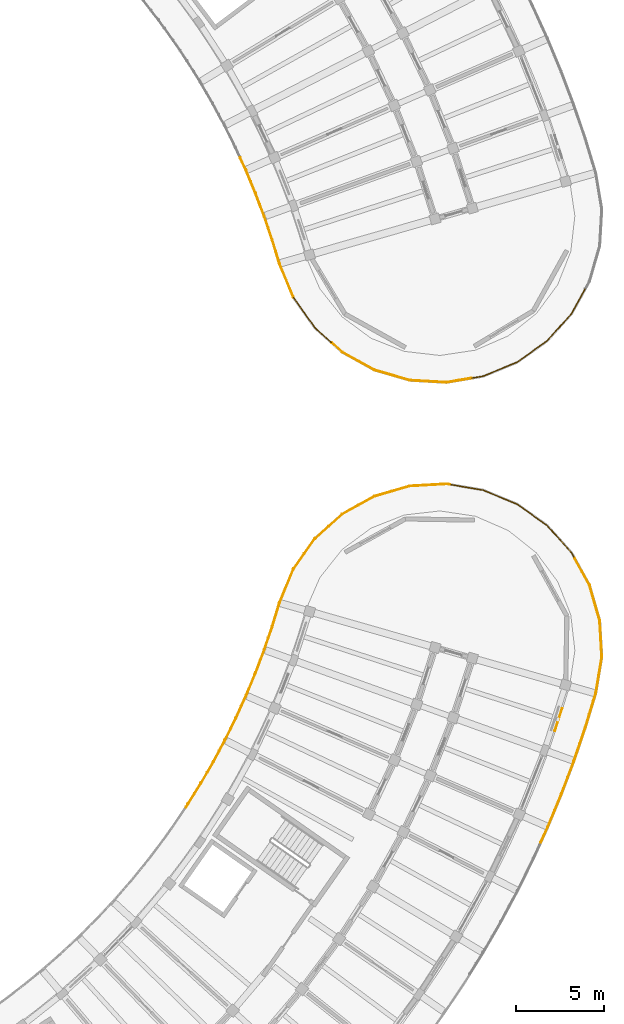
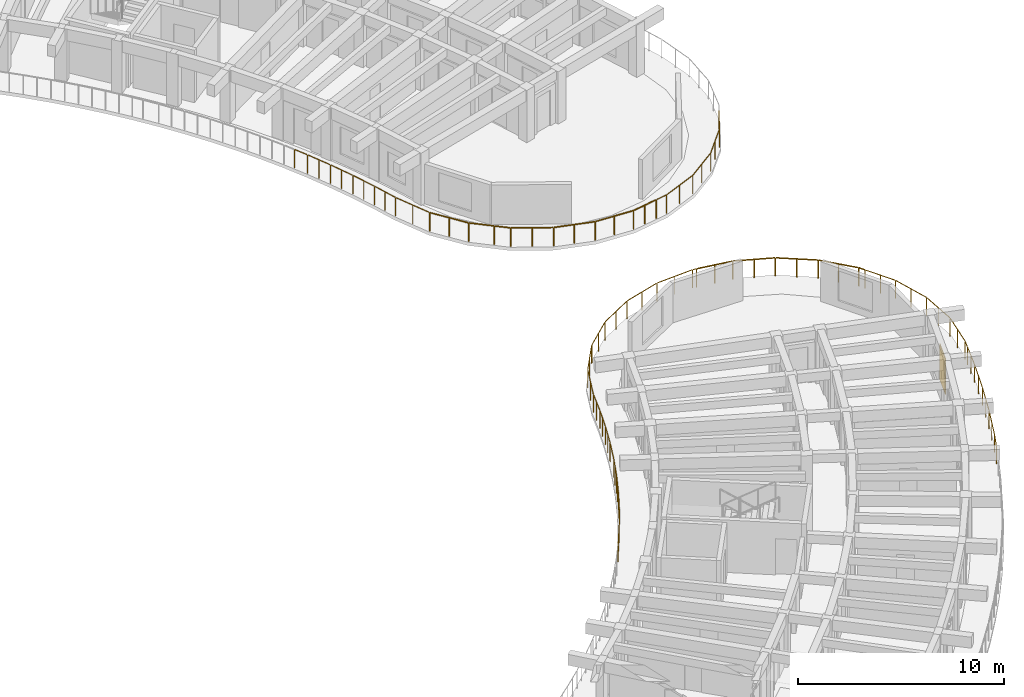
# One storey, part 91 of 96: 10 railings, 1 shading device.
"""IFC4 building model written with IfcOpenShell, lengths in metres."""

from ifc_helpers import new_model, si_unit, direction, frame, origin, origin_2d, place, context, subcontext, project, spatial, rectangle, circle, extrude, material, layer, layer_set, type_object, element, save


model = new_model("IFC4")

# Units and contexts
model_context = context("Model", 3, precision=1e-05, world=origin(), true_north=direction((0.0, 1.0)))
body_context = subcontext(model_context, "Body", "Model", "MODEL_VIEW")
ifc_project = project(units=[si_unit("LENGTHUNIT", "METRE"), si_unit("AREAUNIT", "SQUARE_METRE"), si_unit("VOLUMEUNIT", "CUBIC_METRE"), si_unit("PLANEANGLEUNIT", "RADIAN"), si_unit("MASSUNIT", "GRAM", prefix="KILO")], contexts=[model_context])

# Site, building, storey
site_placement = place(None, origin())
site = spatial("IfcSite", under=ifc_project, at=site_placement, CompositionType="ELEMENT")
building_placement = place(site_placement, origin())
building = spatial("IfcBuilding", under=site, at=building_placement, Name="Tanwirah Colonnade Gardens", CompositionType="ELEMENT")
storey_placement = place(building_placement, frame((0.0, 0.0, 12.199951171875)))
storey = spatial("IfcBuildingStorey", under=building, at=storey_placement, Name="L03", CompositionType="ELEMENT", Elevation=12.199951171875)

# Railings
ifc_material_1 = material(Name="Precast concrete C40/50", Category="concrete")
railing_type_1 = type_object("IfcRailingType", Name="BAL-EXT110", PredefinedType="BALUSTRADE", material=ifc_material_1)
railing_1_placement = place(storey_placement, frame((156.728515625, 41.15869140625, 0.0)))
element("IfcRailing", 1, at=railing_1_placement, inside=storey, type_object=railing_type_1, Name="Block D L03 Balcony Ribbon Balustrade 5", PredefinedType="BALUSTRADE", context=body_context, shape_type="SweptSolid", body=[
    extrude(circle(Radius=0.02392578125, at=origin_2d()), frame((0.017333984375, 0.02587890625, 1.076171875), z_axis=(0.556591623042, 0.83078623313, 0.0), x_axis=(-0.83078623313, 0.556591623042, 0.0)), (0.0, 0.0, 1.0), 0.145751953125),
    extrude(circle(Radius=0.02392578125, at=origin_2d()), frame((0.1337890625, 0.201904296875, 1.076171875), z_axis=(0.529022666758, 0.848607693847, 0.0), x_axis=(-0.848607693847, 0.529022666758, 0.0)), (0.0, 0.0, 1.0), 1.33154296875),
    extrude(circle(Radius=0.02392578125, at=origin_2d()), frame((0.87158203125, 1.3876953125, 1.076171875), z_axis=(0.501015561301, 0.865438274711, 0.0), x_axis=(-0.865438274711, 0.501015561301, 0.0)), (0.0, 0.0, 1.0), 1.33154296875),
    extrude(circle(Radius=0.02392578125, at=origin_2d()), frame((1.5703125, 2.596923828125, 1.076171875), z_axis=(0.472323466806, 0.881425290484, 0.0), x_axis=(-0.881425290484, 0.472323466806, 0.0)), (0.0, 0.0, 1.0), 1.33154296875),
    extrude(circle(Radius=0.02392578125, at=origin_2d()), frame((2.229248046875, 3.82861328125, 1.076171875), z_axis=(0.443286097627, 0.896380184771, 0.0), x_axis=(-0.896380184771, 0.443286097627, 0.0)), (0.0, 0.0, 1.0), 1.33154296875),
    extrude(circle(Radius=0.02392578125, at=origin_2d()), frame((2.847412109375, 5.0810546875, 1.076171875), z_axis=(0.413697373423, 0.91041445684, 0.0), x_axis=(-0.91041445684, 0.413697373423, 0.0)), (0.0, 0.0, 1.0), 1.331298828125),
    extrude(circle(Radius=0.02392578125, at=origin_2d()), frame((3.424072265625, 6.352783203125, 1.076171875), z_axis=(0.383672564884, 0.923469199787, 0.0), x_axis=(-0.923469199787, 0.383672564884, 0.0)), (0.0, 0.0, 1.0), 1.2431640625),
    extrude(circle(Radius=0.02099609375, at=origin_2d()), origin(), (0.0, 0.0, 1.0), 1.049072265625),
    extrude(circle(Radius=0.02099609375, at=origin_2d()), frame((0.115966796875, 0.173095703125, 0.0)), (0.0, 0.0, 1.0), 1.049072265625),
    extrude(circle(Radius=0.02099609375, at=origin_2d()), frame((0.48583984375, 0.766845703125, 0.0)), (0.0, 0.0, 1.0), 1.049072265625),
    extrude(circle(Radius=0.02099609375, at=origin_2d()), frame((0.854736328125, 1.3583984375, 0.0)), (0.0, 0.0, 1.0), 1.049072265625),
    extrude(circle(Radius=0.02099609375, at=origin_2d()), frame((1.205078125, 1.9638671875, 0.0)), (0.0, 0.0, 1.0), 1.049072265625),
    extrude(circle(Radius=0.02099609375, at=origin_2d()), frame((1.554443359375, 2.567138671875, 0.0)), (0.0, 0.0, 1.0), 1.049072265625),
    extrude(circle(Radius=0.02099609375, at=origin_2d()), frame((1.884765625, 3.18359375, 0.0)), (0.0, 0.0, 1.0), 1.049072265625),
    extrude(circle(Radius=0.02099609375, at=origin_2d()), frame((2.214111328125, 3.798095703125, 0.0)), (0.0, 0.0, 1.0), 1.049072265625),
    extrude(circle(Radius=0.02099609375, at=origin_2d()), frame((2.5244140625, 4.42529296875, 0.0)), (0.0, 0.0, 1.0), 1.049072265625),
    extrude(circle(Radius=0.02099609375, at=origin_2d()), frame((2.833251953125, 5.050048828125, 0.0)), (0.0, 0.0, 1.0), 1.049072265625),
    extrude(circle(Radius=0.02099609375, at=origin_2d()), frame((3.122802734375, 5.68701171875, 0.0)), (0.0, 0.0, 1.0), 1.049072265625),
    extrude(circle(Radius=0.02099609375, at=origin_2d()), frame((3.4111328125, 6.321533203125, 0.0)), (0.0, 0.0, 1.0), 1.049072265625),
    extrude(circle(Radius=0.02099609375, at=origin_2d()), frame((3.9130859375, 7.52978515625, 0.0)), (0.0, 0.0, 1.0), 1.049072265625),
])
railing_2_placement = place(storey_placement, frame((160.6416015625, 48.6884765625, 0.0)))
element("IfcRailing", 2, at=railing_2_placement, inside=storey, type_object=railing_type_1, Name="Block D L03 Balcony Ribbon Balustrade 6", PredefinedType="BALUSTRADE", context=body_context, shape_type="SweptSolid", body=[
    extrude(circle(Radius=0.02392578125, at=origin_2d()), frame((0.011962890625, 0.02880859375, 1.076171875), z_axis=(0.384222801745, 0.923240401315, 0.0), x_axis=(-0.923240401315, 0.384222801745, 0.0)), (0.0, 0.0, 1.0), 0.02587890625),
    extrude(circle(Radius=0.02392578125, at=origin_2d()), frame((0.0458984375, 0.11328125, 1.076171875), z_axis=(0.353291566317, 0.935513265095, 0.0), x_axis=(-0.935513265095, 0.353291566317, 0.0)), (0.0, 0.0, 1.0), 1.331298828125),
    extrude(circle(Radius=0.02392578125, at=origin_2d()), frame((0.538330078125, 1.419921875, 1.076171875), z_axis=(0.322420738552, 0.946596464895, 0.0), x_axis=(-0.946596464895, 0.322420738552, 0.0)), (0.0, 0.0, 1.0), 1.33154296875),
    extrude(circle(Radius=0.02392578125, at=origin_2d()), frame((0.987548828125, 2.7421875, 1.076171875), z_axis=(0.291308344694, 0.956629211509, 0.0), x_axis=(-0.956629211509, 0.291308344694, 0.0)), (0.0, 0.0, 1.0), 1.327880859375),
    extrude(circle(Radius=0.02392578125, at=origin_2d()), frame((1.3955078125, 4.0712890625, 1.076171875), z_axis=(0.381489237895, 0.92437328032, 0.0), x_axis=(-0.92437328032, 0.381489237895, 0.0)), (0.0, 0.0, 1.0), 2.029541015625),
    extrude(circle(Radius=0.02392578125, at=origin_2d()), frame((2.19970703125, 6.001953125, 1.076171875), z_axis=(0.577702435947, 0.81624744747, 0.0), x_axis=(-0.81624744747, 0.577702435947, 0.0)), (0.0, 0.0, 1.0), 2.0244140625),
    extrude(circle(Radius=0.02099609375, at=origin_2d()), origin(), (0.0, 0.0, 1.0), 1.049072265625),
    extrude(circle(Radius=0.02099609375, at=origin_2d()), frame((0.033935546875, 0.08154296875, 0.0)), (0.0, 0.0, 1.0), 1.049072265625),
    extrude(circle(Radius=0.02099609375, at=origin_2d()), frame((0.28125, 0.73583984375, 0.0)), (0.0, 0.0, 1.0), 1.049072265625),
    extrude(circle(Radius=0.02099609375, at=origin_2d()), frame((0.52734375, 1.387939453125, 0.0)), (0.0, 0.0, 1.0), 1.049072265625),
    extrude(circle(Radius=0.02099609375, at=origin_2d()), frame((0.7529296875, 2.05029296875, 0.0)), (0.0, 0.0, 1.0), 1.049072265625),
    extrude(circle(Radius=0.02099609375, at=origin_2d()), frame((0.977783203125, 2.7099609375, 0.0)), (0.0, 0.0, 1.0), 1.049072265625),
    extrude(circle(Radius=0.02099609375, at=origin_2d()), frame((1.18115234375, 3.37744140625, 0.0)), (0.0, 0.0, 1.0), 1.049072265625),
    extrude(circle(Radius=0.02099609375, at=origin_2d()), frame((1.383544921875, 4.04248046875, 0.0)), (0.0, 0.0, 1.0), 1.049072265625),
    extrude(circle(Radius=0.02099609375, at=origin_2d()), frame((1.78271484375, 5.00927734375, 0.0)), (0.0, 0.0, 1.0), 1.049072265625),
    extrude(circle(Radius=0.02099609375, at=origin_2d()), frame((2.181640625, 5.976318359375, 0.0)), (0.0, 0.0, 1.0), 1.049072265625),
    extrude(circle(Radius=0.02099609375, at=origin_2d()), frame((2.784423828125, 6.828125, 0.0)), (0.0, 0.0, 1.0), 1.049072265625),
    extrude(circle(Radius=0.02099609375, at=origin_2d()), frame((3.38720703125, 7.6796875, 0.0)), (0.0, 0.0, 1.0), 1.049072265625),
])
railing_3_placement = place(storey_placement, frame((164.063720703125, 56.3994140625, 0.0)))
element("IfcRailing", 3, at=railing_3_placement, inside=storey, type_object=railing_type_1, Name="Block D L03 Balcony Ribbon Balustrade 7", PredefinedType="BALUSTRADE", context=body_context, shape_type="SweptSolid", body=[
    extrude(circle(Radius=0.02392578125, at=origin_2d()), frame((0.023193359375, 0.020751953125, 1.076171875), z_axis=(0.744815510739, 0.667270451138, 0.0), x_axis=(-0.667270451138, 0.744815510739, 0.0)), (0.0, 0.0, 1.0), 1.9775390625),
    extrude(circle(Radius=0.02392578125, at=origin_2d()), frame((1.546875, 1.37646484375, 1.076171875), z_axis=(0.874620424882, 0.484808325403, 0.0), x_axis=(-0.484808325403, 0.874620424882, 0.0)), (0.0, 0.0, 1.0), 2.0244140625),
    extrude(circle(Radius=0.02392578125, at=origin_2d()), frame((3.374755859375, 2.3818359375, 1.076171875), z_axis=(0.960560153031, 0.278072279108, 0.0), x_axis=(-0.278072279108, 0.960560153031, 0.0)), (0.0, 0.0, 1.0), 2.0244140625),
    extrude(circle(Radius=0.02392578125, at=origin_2d()), frame((5.380615234375, 2.955078125, 1.076171875), z_axis=(0.998355686266, 0.057322977065, 0.0), x_axis=(-0.057322977065, 0.998355686266, 0.0)), (0.0, 0.0, 1.0), 2.0244140625),
    extrude(circle(Radius=0.02392578125, at=origin_2d()), frame((7.463623046875, 3.06787109375, 1.076171875), z_axis=(0.985993298705, -0.166784936099, 0.0), x_axis=(0.166784936099, 0.985993298705, 0.0)), (0.0, 0.0, 1.0), 0.136474609375),
    extrude(circle(Radius=0.02099609375, at=origin_2d()), origin(), (0.0, 0.0, 1.0), 1.049072265625),
    extrude(circle(Radius=0.02099609375, at=origin_2d()), frame((0.759765625, 0.6806640625, 0.0)), (0.0, 0.0, 1.0), 1.049072265625),
    extrude(circle(Radius=0.02099609375, at=origin_2d()), frame((1.51953125, 1.361328125, 0.0)), (0.0, 0.0, 1.0), 1.049072265625),
    extrude(circle(Radius=0.02099609375, at=origin_2d()), frame((2.43212890625, 1.8671875, 0.0)), (0.0, 0.0, 1.0), 1.049072265625),
    extrude(circle(Radius=0.02099609375, at=origin_2d()), frame((3.3447265625, 2.373046875, 0.0)), (0.0, 0.0, 1.0), 1.049072265625),
    extrude(circle(Radius=0.02099609375, at=origin_2d()), frame((4.34716796875, 2.6630859375, 0.0)), (0.0, 0.0, 1.0), 1.049072265625),
    extrude(circle(Radius=0.02099609375, at=origin_2d()), frame((5.349365234375, 2.953369140625, 0.0)), (0.0, 0.0, 1.0), 1.049072265625),
    extrude(circle(Radius=0.02099609375, at=origin_2d()), frame((6.39111328125, 3.01318359375, 0.0)), (0.0, 0.0, 1.0), 1.049072265625),
    extrude(circle(Radius=0.02099609375, at=origin_2d()), frame((7.432861328125, 3.072998046875, 0.0)), (0.0, 0.0, 1.0), 1.049072265625),
    extrude(circle(Radius=0.02099609375, at=origin_2d()), frame((7.629150390625, 3.039794921875, 0.0)), (0.0, 0.0, 1.0), 1.049072265625),
])
railing_4_placement = place(storey_placement, frame((171.69287109375, 59.439208984375, 0.0)))
element("IfcRailing", 4, at=railing_4_placement, inside=storey, type_object=railing_type_1, Name="Block D L03 Balcony Ribbon Balustrade 8", PredefinedType="BALUSTRADE", context=body_context, shape_type="SweptSolid", body=[
    extrude(circle(Radius=0.02392578125, at=origin_2d()), frame((0.03076171875, -0.005126953125, 1.076171875), z_axis=(0.986074017586, -0.166307040868, 0.0), x_axis=(0.166307040868, 0.986074017586, 0.0)), (0.0, 0.0, 1.0), 1.825439453125),
    extrude(circle(Radius=0.02392578125, at=origin_2d()), frame((1.890380859375, -0.325927734375, 1.076171875), z_axis=(0.924362800533, -0.381514630115, 0.0), x_axis=(0.381514630115, 0.924362800533, 0.0)), (0.0, 0.0, 1.0), 2.024169921875),
    extrude(circle(Radius=0.02392578125, at=origin_2d()), frame((3.816162109375, -1.128173828125, 1.076171875), z_axis=(0.816286486525, -0.577647272924, 0.0), x_axis=(0.577647272924, 0.816286486525, 0.0)), (0.0, 0.0, 1.0), 2.0244140625),
    extrude(circle(Radius=0.02392578125, at=origin_2d()), frame((5.514892578125, -2.3388671875, 1.076171875), z_axis=(0.667321336148, -0.744769920393, 0.0), x_axis=(0.744769920393, 0.667321336148, 0.0)), (0.0, 0.0, 1.0), 2.0244140625),
    extrude(circle(Radius=0.02392578125, at=origin_2d()), frame((6.90185546875, -3.897216796875, 1.076171875), z_axis=(0.484581560684, -0.874746083755, 0.0), x_axis=(0.874746083755, 0.484581560684, 0.0)), (0.0, 0.0, 1.0), 0.2890625),
    extrude(circle(Radius=0.02099609375, at=origin_2d()), origin(), (0.0, 0.0, 1.0), 1.049072265625),
    extrude(circle(Radius=0.02099609375, at=origin_2d()), frame((0.9306640625, -0.156982421875, 0.0)), (0.0, 0.0, 1.0), 1.049072265625),
    extrude(circle(Radius=0.02099609375, at=origin_2d()), frame((1.861572265625, -0.31396484375, 0.0)), (0.0, 0.0, 1.0), 1.049072265625),
    extrude(circle(Radius=0.02099609375, at=origin_2d()), frame((2.826171875, -0.7119140625, 0.0)), (0.0, 0.0, 1.0), 1.049072265625),
    extrude(circle(Radius=0.02099609375, at=origin_2d()), frame((3.79052734375, -1.110107421875, 0.0)), (0.0, 0.0, 1.0), 1.049072265625),
    extrude(circle(Radius=0.02099609375, at=origin_2d()), frame((4.642333984375, -1.712890625, 0.0)), (0.0, 0.0, 1.0), 1.049072265625),
    extrude(circle(Radius=0.02099609375, at=origin_2d()), frame((5.494140625, -2.315673828125, 0.0)), (0.0, 0.0, 1.0), 1.049072265625),
    extrude(circle(Radius=0.02099609375, at=origin_2d()), frame((6.1904296875, -3.0927734375, 0.0)), (0.0, 0.0, 1.0), 1.049072265625),
    extrude(circle(Radius=0.02099609375, at=origin_2d()), frame((6.88671875, -3.869873046875, 0.0)), (0.0, 0.0, 1.0), 1.049072265625),
    extrude(circle(Radius=0.02099609375, at=origin_2d()), frame((7.05712890625, -4.177490234375, 0.0)), (0.0, 0.0, 1.0), 1.049072265625),
])
railing_5_placement = place(storey_placement, frame((178.75, 55.26171875, 0.0)))
element("IfcRailing", 5, at=railing_5_placement, inside=storey, type_object=railing_type_1, Name="Block D L03 Balcony Ribbon Balustrade 9", PredefinedType="BALUSTRADE", context=body_context, shape_type="SweptSolid", body=[
    extrude(circle(Radius=0.02392578125, at=origin_2d()), frame((0.01513671875, -0.02734375, 1.076171875), z_axis=(0.484794621278, -0.874628021035, 0.0), x_axis=(0.874628021035, 0.484794621278, 0.0)), (0.0, 0.0, 1.0), 1.6728515625),
    extrude(circle(Radius=0.02392578125, at=origin_2d()), frame((0.85009765625, -1.5478515625, 1.076171875), z_axis=(0.277995575468, -0.960582354627, 0.0), x_axis=(0.960582354627, 0.277995575468, 0.0)), (0.0, 0.0, 1.0), 2.024169921875),
    extrude(circle(Radius=0.02392578125, at=origin_2d()), frame((1.423095703125, -3.553466796875, 1.076171875), z_axis=(0.057322977065, -0.998355686266, 0.0), x_axis=(0.998355686266, 0.057322977065, 0.0)), (0.0, 0.0, 1.0), 2.0244140625),
    extrude(circle(Radius=0.02392578125, at=origin_2d()), frame((1.535888671875, -5.636474609375, 1.076171875), z_axis=(-0.166273240714, -0.98607971758, 0.0), x_axis=(0.98607971758, -0.166273240714, 0.0)), (0.0, 0.0, 1.0), 2.0283203125),
    extrude(circle(Radius=0.02392578125, at=origin_2d()), frame((1.184326171875, -7.697509765625, 1.076171875), z_axis=(-0.290928518409, -0.956744792082, 0.0), x_axis=(0.956744792082, -0.290928518409, 0.0)), (0.0, 0.0, 1.0), 0.437744140625),
    extrude(circle(Radius=0.02099609375, at=origin_2d()), origin(), (0.0, 0.0, 1.0), 1.049072265625),
    extrude(circle(Radius=0.02099609375, at=origin_2d()), frame((0.420654296875, -0.7587890625, 0.0)), (0.0, 0.0, 1.0), 1.049072265625),
    extrude(circle(Radius=0.02099609375, at=origin_2d()), frame((0.84130859375, -1.517822265625, 0.0)), (0.0, 0.0, 1.0), 1.049072265625),
    extrude(circle(Radius=0.02099609375, at=origin_2d()), frame((1.13134765625, -2.52001953125, 0.0)), (0.0, 0.0, 1.0), 1.049072265625),
    extrude(circle(Radius=0.02099609375, at=origin_2d()), frame((1.42138671875, -3.522216796875, 0.0)), (0.0, 0.0, 1.0), 1.049072265625),
    extrude(circle(Radius=0.02099609375, at=origin_2d()), frame((1.481201171875, -4.56396484375, 0.0)), (0.0, 0.0, 1.0), 1.049072265625),
    extrude(circle(Radius=0.02099609375, at=origin_2d()), frame((1.541015625, -5.605712890625, 0.0)), (0.0, 0.0, 1.0), 1.049072265625),
    extrude(circle(Radius=0.02099609375, at=origin_2d()), frame((1.3671875, -6.63671875, 0.0)), (0.0, 0.0, 1.0), 1.049072265625),
    extrude(circle(Radius=0.02099609375, at=origin_2d()), frame((1.193359375, -7.66748046875, 0.0)), (0.0, 0.0, 1.0), 1.049072265625),
    extrude(circle(Radius=0.02099609375, at=origin_2d()), frame((1.0478515625, -8.14599609375, 0.0)), (0.0, 0.0, 1.0), 1.049072265625),
])
railing_6_placement = place(storey_placement, frame((179.7978515625, 47.11572265625, 0.0)))
element("IfcRailing", 6, at=railing_6_placement, inside=storey, type_object=railing_type_1, Name="Block D L03 Balcony Ribbon Balustrade 10", PredefinedType="BALUSTRADE", context=body_context, shape_type="SweptSolid", body=[
    extrude(circle(Radius=0.02392578125, at=origin_2d()), frame((-0.009033203125, -0.02978515625, 1.076171875), z_axis=(-0.291504284688, -0.956569522831, 0.0), x_axis=(0.956569522831, -0.291504284688, 0.0)), (0.0, 0.0, 1.0), 1.43994140625),
    extrude(circle(Radius=0.02392578125, at=origin_2d()), frame((-0.447998046875, -1.466796875, 1.076171875), z_axis=(-0.322426184604, -0.946594609895, 0.0), x_axis=(0.946594609895, -0.322426184604, 0.0)), (0.0, 0.0, 1.0), 1.944091796875),
    extrude(circle(Radius=0.02392578125, at=origin_2d()), frame((-1.095947265625, -3.365966796875, 1.076171875), z_axis=(-0.353175799738, -0.935556975539, 0.0), x_axis=(0.935556975539, -0.353175799738, 0.0)), (0.0, 0.0, 1.0), 1.9443359375),
    extrude(circle(Radius=0.02392578125, at=origin_2d()), frame((-1.8056640625, -5.242919921875, 1.076171875), z_axis=(-0.383777149523, -0.923425741196, 0.0), x_axis=(0.923425741196, -0.383777149523, 0.0)), (0.0, 0.0, 1.0), 1.94384765625),
    extrude(circle(Radius=0.02392578125, at=origin_2d()), frame((-2.57666015625, -7.095458984375, 1.076171875), z_axis=(-0.413746505337, -0.910392129426, 0.0), x_axis=(0.910392129426, -0.413746505337, 0.0)), (0.0, 0.0, 1.0), 0.915283203125),
    extrude(circle(Radius=0.02099609375, at=origin_2d()), origin(), (0.0, 0.0, 1.0), 1.049072265625),
    extrude(circle(Radius=0.02099609375, at=origin_2d()), frame((-0.218994140625, -0.71875, 0.0)), (0.0, 0.0, 1.0), 1.049072265625),
    extrude(circle(Radius=0.02099609375, at=origin_2d()), frame((-0.43798828125, -1.437255859375, 0.0)), (0.0, 0.0, 1.0), 1.049072265625),
    extrude(circle(Radius=0.02099609375, at=origin_2d()), frame((-0.761474609375, -2.386962890625, 0.0)), (0.0, 0.0, 1.0), 1.049072265625),
    extrude(circle(Radius=0.02099609375, at=origin_2d()), frame((-1.0849609375, -3.336669921875, 0.0)), (0.0, 0.0, 1.0), 1.049072265625),
    extrude(circle(Radius=0.02099609375, at=origin_2d()), frame((-1.439453125, -4.275390625, 0.0)), (0.0, 0.0, 1.0), 1.049072265625),
    extrude(circle(Radius=0.02099609375, at=origin_2d()), frame((-1.793701171875, -5.214111328125, 0.0)), (0.0, 0.0, 1.0), 1.049072265625),
    extrude(circle(Radius=0.02099609375, at=origin_2d()), frame((-2.1787109375, -6.140625, 0.0)), (0.0, 0.0, 1.0), 1.049072265625),
    extrude(circle(Radius=0.02099609375, at=origin_2d()), frame((-2.563720703125, -7.06689453125, 0.0)), (0.0, 0.0, 1.0), 1.049072265625),
    extrude(circle(Radius=0.02099609375, at=origin_2d()), frame((-2.96826171875, -7.95703125, 0.0)), (0.0, 0.0, 1.0), 1.049072265625),
])
railing_type_2 = type_object("IfcRailingType", Name="BAL-EXT112", PredefinedType="BALUSTRADE", material=ifc_material_1)
railing_7_placement = place(storey_placement, frame((162.8232421875, 70.035400390625, 0.0)))
element("IfcRailing", 7, at=railing_7_placement, inside=storey, type_object=railing_type_2, Name="Block B L03 Balcony Ribbon Balustrade 1", PredefinedType="BALUSTRADE", context=body_context, shape_type="SweptSolid", body=[
    extrude(circle(Radius=0.02392578125, at=origin_2d()), frame((-0.011962890625, 0.02880859375, 1.09619140625), z_axis=(-0.381489237895, 0.92437328032, 0.0), x_axis=(-0.92437328032, -0.381489237895, 0.0)), (0.0, 0.0, 1.0), 2.029541015625),
    extrude(circle(Radius=0.02392578125, at=origin_2d()), frame((-0.80712890625, 1.963623046875, 1.09619140625), z_axis=(-0.29148764702, 0.956574592823, 0.0), x_axis=(-0.956574592823, -0.29148764702, 0.0)), (0.0, 0.0, 1.0), 1.337890625),
    extrude(circle(Radius=0.02392578125, at=origin_2d()), frame((-1.217041015625, 3.305419921875, 1.09619140625), z_axis=(-0.322790719453, 0.946470364795, 0.0), x_axis=(-0.946470364795, -0.322790719453, 0.0)), (0.0, 0.0, 1.0), 1.342041015625),
    extrude(circle(Radius=0.02392578125, at=origin_2d()), frame((-1.67236328125, 4.636962890625, 1.09619140625), z_axis=(-0.353789339155, 0.935325132508, 0.0), x_axis=(-0.935325132508, -0.353789339155, 0.0)), (0.0, 0.0, 1.0), 1.341796875),
    extrude(circle(Radius=0.02392578125, at=origin_2d()), frame((-2.171142578125, 5.952392578125, 1.09619140625), z_axis=(-0.384541319971, 0.923107779858, 0.0), x_axis=(-0.923107779858, -0.384541319971, 0.0)), (0.0, 0.0, 1.0), 1.341796875),
    extrude(circle(Radius=0.02392578125, at=origin_2d()), frame((-2.713134765625, 7.2509765625, 1.09619140625), z_axis=(-0.414647740507, 0.909982006027, 0.0), x_axis=(-0.909982006027, -0.414647740507, 0.0)), (0.0, 0.0, 1.0), 0.72119140625),
    extrude(circle(Radius=0.02099609375, at=origin_2d()), origin(), (0.0, 0.0, 1.0), 1.069091796875),
    extrude(circle(Radius=0.02099609375, at=origin_2d()), frame((-0.39892578125, 0.966796875, 0.0)), (0.0, 0.0, 1.0), 1.069091796875),
    extrude(circle(Radius=0.02099609375, at=origin_2d()), frame((-0.798095703125, 1.933837890625, 0.0)), (0.0, 0.0, 1.0), 1.069091796875),
    extrude(circle(Radius=0.02099609375, at=origin_2d()), frame((-1.002197265625, 2.603515625, 0.0)), (0.0, 0.0, 1.0), 1.069091796875),
    extrude(circle(Radius=0.02099609375, at=origin_2d()), frame((-1.206298828125, 3.2734375, 0.0)), (0.0, 0.0, 1.0), 1.069091796875),
    extrude(circle(Radius=0.02099609375, at=origin_2d()), frame((-1.43359375, 3.9404296875, 0.0)), (0.0, 0.0, 1.0), 1.069091796875),
    extrude(circle(Radius=0.02099609375, at=origin_2d()), frame((-1.660400390625, 4.605224609375, 0.0)), (0.0, 0.0, 1.0), 1.069091796875),
    extrude(circle(Radius=0.02099609375, at=origin_2d()), frame((-1.90966796875, 5.264404296875, 0.0)), (0.0, 0.0, 1.0), 1.069091796875),
    extrude(circle(Radius=0.02099609375, at=origin_2d()), frame((-2.158203125, 5.921142578125, 0.0)), (0.0, 0.0, 1.0), 1.069091796875),
    extrude(circle(Radius=0.02099609375, at=origin_2d()), frame((-2.42919921875, 6.57177734375, 0.0)), (0.0, 0.0, 1.0), 1.069091796875),
    extrude(circle(Radius=0.02099609375, at=origin_2d()), frame((-2.69921875, 7.219970703125, 0.0)), (0.0, 0.0, 1.0), 1.069091796875),
    extrude(circle(Radius=0.02099609375, at=origin_2d()), frame((-3.025146484375, 7.935546875, 0.0)), (0.0, 0.0, 1.0), 1.069091796875),
])
railing_8_placement = place(storey_placement, frame((179.34326171875, 70.508544921875, 0.0)))
element("IfcRailing", 8, at=railing_8_placement, inside=storey, type_object=railing_type_2, Name="Block B L03 Balcony Ribbon Balustrade 20", PredefinedType="BALUSTRADE", context=body_context, shape_type="SweptSolid", body=[
    extrude(circle(Radius=0.02392578125, at=origin_2d()), frame((-0.01513671875, -0.02734375, 1.09619140625), z_axis=(-0.484813654045, -0.874617471156, 0.0), x_axis=(0.874617471156, -0.484813654045, 0.0)), (0.0, 0.0, 1.0), 1.5126953125),
    extrude(circle(Radius=0.02392578125, at=origin_2d()), frame((-0.784423828125, -1.40087890625, 1.09619140625), z_axis=(-0.667263194146, -0.744822012119, 0.0), x_axis=(0.744822012119, -0.667263194146, 0.0)), (0.0, 0.0, 1.0), 2.0244140625),
    extrude(circle(Radius=0.02392578125, at=origin_2d()), frame((-2.181884765625, -2.9501953125, 1.09619140625), z_axis=(-0.816286486525, -0.577647272924, 0.0), x_axis=(0.577647272924, -0.816286486525, 0.0)), (0.0, 0.0, 1.0), 2.0244140625),
    extrude(circle(Radius=0.02392578125, at=origin_2d()), frame((-3.888671875, -4.149658203125, 1.09619140625), z_axis=(-0.924362800533, -0.381514630115, 0.0), x_axis=(0.381514630115, -0.924362800533, 0.0)), (0.0, 0.0, 1.0), 2.024169921875),
    extrude(circle(Radius=0.02392578125, at=origin_2d()), frame((-5.819580078125, -4.93896484375, 1.09619140625), z_axis=(-0.9860941903, -0.166187387776, 0.0), x_axis=(0.166187387776, -0.9860941903, 0.0)), (0.0, 0.0, 1.0), 0.6015625),
    extrude(circle(Radius=0.02099609375, at=origin_2d()), origin(), (0.0, 0.0, 1.0), 1.069091796875),
    extrude(circle(Radius=0.02099609375, at=origin_2d()), frame((-0.3818359375, -0.68896484375, 0.0)), (0.0, 0.0, 1.0), 1.069091796875),
    extrude(circle(Radius=0.02099609375, at=origin_2d()), frame((-0.763671875, -1.377685546875, 0.0)), (0.0, 0.0, 1.0), 1.069091796875),
    extrude(circle(Radius=0.02099609375, at=origin_2d()), frame((-1.4599609375, -2.15478515625, 0.0)), (0.0, 0.0, 1.0), 1.069091796875),
    extrude(circle(Radius=0.02099609375, at=origin_2d()), frame((-2.15625, -2.93212890625, 0.0)), (0.0, 0.0, 1.0), 1.069091796875),
    extrude(circle(Radius=0.02099609375, at=origin_2d()), frame((-3.008056640625, -3.534912109375, 0.0)), (0.0, 0.0, 1.0), 1.069091796875),
    extrude(circle(Radius=0.02099609375, at=origin_2d()), frame((-3.85986328125, -4.1376953125, 0.0)), (0.0, 0.0, 1.0), 1.069091796875),
    extrude(circle(Radius=0.02099609375, at=origin_2d()), frame((-4.82421875, -4.53564453125, 0.0)), (0.0, 0.0, 1.0), 1.069091796875),
    extrude(circle(Radius=0.02099609375, at=origin_2d()), frame((-5.788818359375, -4.933837890625, 0.0)), (0.0, 0.0, 1.0), 1.069091796875),
    extrude(circle(Radius=0.02099609375, at=origin_2d()), frame((-6.443603515625, -5.044189453125, 0.0)), (0.0, 0.0, 1.0), 1.069091796875),
])
railing_9_placement = place(storey_placement, frame((172.899658203125, 65.46435546875, 0.0)))
element("IfcRailing", 9, at=railing_9_placement, inside=storey, type_object=railing_type_2, Name="Block B L03 Balcony Ribbon Balustrade 21", PredefinedType="BALUSTRADE", context=body_context, shape_type="SweptSolid", body=[
    extrude(circle(Radius=0.02392578125, at=origin_2d()), frame((-0.03076171875, -0.005126953125, 1.09619140625), z_axis=(-0.986081459766, -0.166262908389, 0.0), x_axis=(0.166262908389, -0.986081459766, 0.0)), (0.0, 0.0, 1.0), 1.3603515625),
    extrude(circle(Radius=0.02392578125, at=origin_2d()), frame((-1.434326171875, -0.23486328125, 1.09619140625), z_axis=(-0.998362374442, 0.057206374631, 0.0), x_axis=(-0.057206374631, -0.998362374442, 0.0)), (0.0, 0.0, 1.0), 2.0244140625),
    extrude(circle(Radius=0.02392578125, at=origin_2d()), frame((-3.5166015625, -0.1083984375, 1.09619140625), z_axis=(-0.960560153031, 0.278072279108, 0.0), x_axis=(-0.278072279108, -0.960560153031, 0.0)), (0.0, 0.0, 1.0), 2.0244140625),
    extrude(circle(Radius=0.02392578125, at=origin_2d()), frame((-5.5185546875, 0.478271484375, 1.09619140625), z_axis=(-0.874620424882, 0.484808325403, 0.0), x_axis=(-0.484808325403, -0.874620424882, 0.0)), (0.0, 0.0, 1.0), 2.0244140625),
    extrude(circle(Radius=0.02392578125, at=origin_2d()), frame((-7.339599609375, 1.49560546875, 1.09619140625), z_axis=(-0.744779587928, 0.667310546452, 0.0), x_axis=(-0.667310546452, -0.744779587928, 0.0)), (0.0, 0.0, 1.0), 0.753662109375),
    extrude(circle(Radius=0.02099609375, at=origin_2d()), origin(), (0.0, 0.0, 1.0), 1.069091796875),
    extrude(circle(Radius=0.02099609375, at=origin_2d()), frame((-0.70166015625, -0.1181640625, 0.0)), (0.0, 0.0, 1.0), 1.069091796875),
    extrude(circle(Radius=0.02099609375, at=origin_2d()), frame((-1.403076171875, -0.236572265625, 0.0)), (0.0, 0.0, 1.0), 1.069091796875),
    extrude(circle(Radius=0.02099609375, at=origin_2d()), frame((-2.44482421875, -0.1767578125, 0.0)), (0.0, 0.0, 1.0), 1.069091796875),
    extrude(circle(Radius=0.02099609375, at=origin_2d()), frame((-3.486572265625, -0.1171875, 0.0)), (0.0, 0.0, 1.0), 1.069091796875),
    extrude(circle(Radius=0.02099609375, at=origin_2d()), frame((-4.48876953125, 0.1728515625, 0.0)), (0.0, 0.0, 1.0), 1.069091796875),
    extrude(circle(Radius=0.02099609375, at=origin_2d()), frame((-5.4912109375, 0.463134765625, 0.0)), (0.0, 0.0, 1.0), 1.069091796875),
    extrude(circle(Radius=0.02099609375, at=origin_2d()), frame((-6.40380859375, 0.968994140625, 0.0)), (0.0, 0.0, 1.0), 1.069091796875),
    extrude(circle(Radius=0.02099609375, at=origin_2d()), frame((-7.31640625, 1.474853515625, 0.0)), (0.0, 0.0, 1.0), 1.069091796875),
    extrude(circle(Radius=0.02099609375, at=origin_2d()), frame((-7.92431640625, 2.01953125, 0.0)), (0.0, 0.0, 1.0), 1.069091796875),
])
railing_10_placement = place(storey_placement, frame((164.975341796875, 67.48388671875, 0.0)))
element("IfcRailing", 10, at=railing_10_placement, inside=storey, type_object=railing_type_2, Name="Block B L03 Balcony Ribbon Balustrade 22", PredefinedType="BALUSTRADE", context=body_context, shape_type="SweptSolid", body=[
    extrude(circle(Radius=0.02392578125, at=origin_2d()), frame((-0.023193359375, 0.020751953125, 1.09619140625), z_axis=(-0.744849259982, 0.6672327779, 0.0), x_axis=(-0.6672327779, -0.744849259982, 0.0)), (0.0, 0.0, 1.0), 1.208251953125),
    extrude(circle(Radius=0.02392578125, at=origin_2d()), frame((-0.964599609375, 0.87353515625, 1.09619140625), z_axis=(-0.577647272924, 0.816286486525, 0.0), x_axis=(-0.816286486525, -0.577647272924, 0.0)), (0.0, 0.0, 1.0), 2.0244140625),
    extrude(circle(Radius=0.02099609375, at=origin_2d()), origin(), (0.0, 0.0, 1.0), 1.069091796875),
    extrude(circle(Radius=0.02099609375, at=origin_2d()), frame((-0.946533203125, 0.847900390625, 0.0)), (0.0, 0.0, 1.0), 1.069091796875),
    extrude(circle(Radius=0.02099609375, at=origin_2d()), frame((-1.54931640625, 1.69970703125, 0.0)), (0.0, 0.0, 1.0), 1.069091796875),
    extrude(circle(Radius=0.02099609375, at=origin_2d()), frame((-2.152099609375, 2.551513671875, 0.0)), (0.0, 0.0, 1.0), 1.069091796875),
])

# Shading device
ifc_material_2 = material(Name="Perforated architectural bronze aluminium", Category="aluminium")
ifc_layer = layer(ifc_material_2, 0.044921875)
ifc_layer_set = layer_set([ifc_layer], Name="Perforated architectural bronze aluminium")
shading_device_type = type_object("IfcShadingDeviceType", Name="SHD-MSH1", PredefinedType="JALOUSIE", material=ifc_layer_set)
shading_device_placement = place(storey_placement, frame((177.8359375, 46.12255859375, 0.0), z_axis=(0.0, 0.0, 1.0), x_axis=(0.30694295016, 0.951727915608, 0.0)))
element("IfcShadingDevice", 11, at=shading_device_placement, inside=storey, type_object=shading_device_type, Name="Bronze mashrabiya solar screen D-L03-15", PredefinedType="JALOUSIE", context=body_context, shape_type="SweptSolid", body=[
    extrude(rectangle(XDim=1.35009765625, YDim=0.044921875, at=origin_2d()), origin(), (0.0, 0.0, 1.0), 2.110107421875),
])

save(model, "model.ifc")
